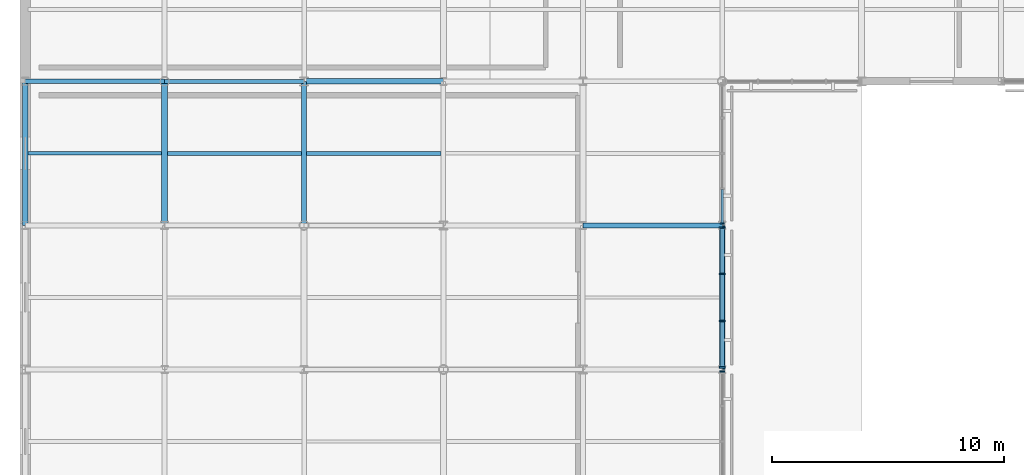
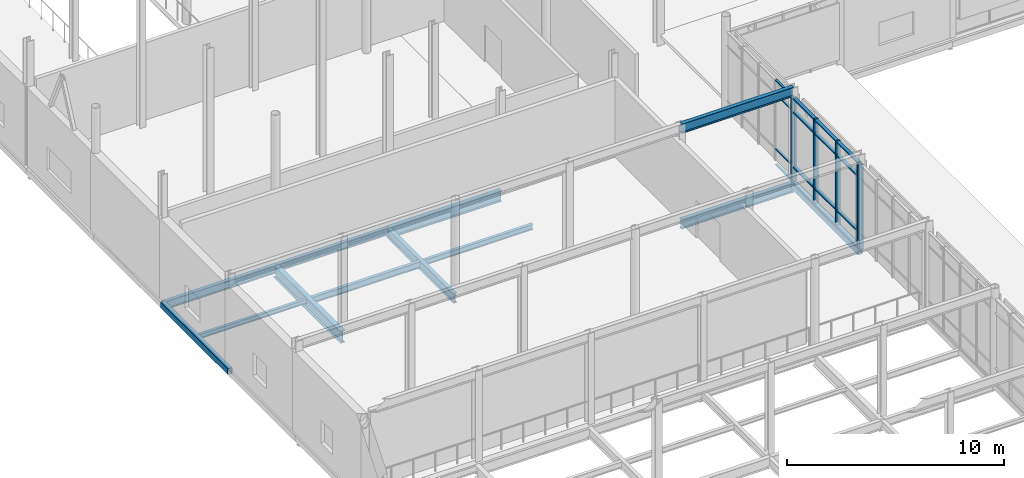
# One storey, part 22 of 105: 22 members, 12 beams, 3 elements without a shape of their own.
"""IFC4 building model written with IfcOpenShell, lengths in metres."""

from ifc_helpers import new_model, si_unit, direction, frame, origin, origin_2d, place, context, subcontext, project, spatial, rectangle, hollow_rectangle, i_section, extrude, material, layer, layer_set, material_profile, profile_set, type_object, element, aggregate, save


model = new_model("IFC4")

# Units and contexts
model_context = context("Model", 3, precision=1e-05, world=origin(), true_north=direction((0.0, 1.0)))
body_context = subcontext(model_context, "Body", "Model", "MODEL_VIEW")
ifc_project = project(units=[si_unit("LENGTHUNIT", "METRE"), si_unit("AREAUNIT", "SQUARE_METRE"), si_unit("VOLUMEUNIT", "CUBIC_METRE"), si_unit("PLANEANGLEUNIT", "RADIAN"), si_unit("MASSUNIT", "GRAM", prefix="KILO")], contexts=[model_context])

# Site, building, storey
site_placement = place(None, origin())
site = spatial("IfcSite", under=ifc_project, at=site_placement, CompositionType="ELEMENT")
building_placement = place(site_placement, origin())
building = spatial("IfcBuilding", under=site, at=building_placement, Name="Mirzam Square Science Centre", CompositionType="ELEMENT")
storey_placement = place(building_placement, frame((0.0, 0.0, 5.39990234375)))
storey = spatial("IfcBuildingStorey", under=building, at=storey_placement, Name="L01", CompositionType="ELEMENT", Elevation=5.39990234375)

# Beams
ifc_material_1 = material(Name="Steel S355", Category="steel")
ifc_material_profile_1 = material_profile(ifc_material_1, i_section(OverallWidth=0.1787109375, OverallDepth=0.409423828125, WebThickness=0.0087890625, FlangeThickness=0.014404296875, FilletRadius=0.01025390625, at=origin_2d()), Name="406x178x67UB")
ifc_profile_set_1 = profile_set([ifc_material_profile_1], Name="Steel S355")
beam_type_1 = type_object("IfcBeamType", Name="BM-UB406", PredefinedType="BEAM", material=ifc_profile_set_1)
beam_1_placement = place(storey_placement, frame((6.0, 37.199951171875, -0.464599609375), z_axis=(1.0, 0.0, 0.0), x_axis=(0.0, 1.0, 0.0)))
element("IfcBeam", 1, at=beam_1_placement, inside=storey, type_object=beam_type_1, Name="L01 girder X2-7", PredefinedType="BEAM", context=body_context, shape_type="SweptSolid", body=[
    extrude(i_section(OverallWidth=0.1787109375, OverallDepth=0.409423828125, WebThickness=0.0087890625, FlangeThickness=0.014404296875, FilletRadius=0.01025390625, at=origin_2d()), origin(), (0.0, 0.0, 1.0), 6.0),
])
ifc_material_profile_2 = material_profile(ifc_material_1, i_section(OverallWidth=0.19140625, OverallDepth=0.4599609375, WebThickness=0.010009765625, FlangeThickness=0.01611328125, FilletRadius=0.01025390625, at=origin_2d()), Name="457x191x82UB")
ifc_profile_set_2 = profile_set([ifc_material_profile_2], Name="Steel S355")
beam_type_2 = type_object("IfcBeamType", Name="BM-UB457", PredefinedType="BEAM", material=ifc_profile_set_2)
beam_2_placement = place(storey_placement, frame((0.0, 37.199951171875, -0.489990234375), z_axis=(1.0, 0.0, 0.0), x_axis=(0.0, 1.0, 0.0)))
element("IfcBeam", 2, at=beam_2_placement, inside=storey, type_object=beam_type_2, Name="L01 girder X1-7", PredefinedType="BEAM", context=body_context, shape_type="SweptSolid", body=[
    extrude(i_section(OverallWidth=0.19140625, OverallDepth=0.4599609375, WebThickness=0.010009765625, FlangeThickness=0.01611328125, FilletRadius=0.01025390625, at=origin_2d()), origin(), (0.0, 0.0, 1.0), 6.0),
])
ifc_material_profile_3 = material_profile(ifc_material_1, i_section(OverallWidth=0.2099609375, OverallDepth=0.53662109375, WebThickness=0.0107421875, FlangeThickness=0.017333984375, FilletRadius=0.0126953125, at=origin_2d()), Name="533x210x101UB")
ifc_profile_set_3 = profile_set([ifc_material_profile_3], Name="Steel S355")
beam_type_3 = type_object("IfcBeamType", Name="BM-UB533", PredefinedType="BEAM", material=ifc_profile_set_3)
beam_3_placement = place(storey_placement, frame((24.0, 31.0, -0.5283203125), z_axis=(1.0, 0.0, 0.0), x_axis=(0.0, 1.0, 0.0)))
element("IfcBeam", 3, at=beam_3_placement, inside=storey, type_object=beam_type_3, Name="L01 girder X5-6", PredefinedType="BEAM", context=body_context, shape_type="SweptSolid", body=[
    extrude(i_section(OverallWidth=0.2099609375, OverallDepth=0.53662109375, WebThickness=0.0107421875, FlangeThickness=0.017333984375, FilletRadius=0.0126953125, at=origin_2d()), origin(), (0.0, 0.0, 1.0), 6.0),
])
beam_4_placement = place(storey_placement, frame((12.0, 31.0, -0.5283203125), z_axis=(0.0, 1.0, 0.0), x_axis=(-1.0, 0.0, 0.0)))
element("IfcBeam", 4, at=beam_4_placement, inside=storey, type_object=beam_type_3, Name="L01 girder Y3-6", PredefinedType="BEAM", context=body_context, shape_type="SweptSolid", body=[
    extrude(i_section(OverallWidth=0.2099609375, OverallDepth=0.53662109375, WebThickness=0.0107421875, FlangeThickness=0.017333984375, FilletRadius=0.0126953125, at=origin_2d()), origin(), (0.0, 0.0, 1.0), 6.199951171875),
])
beam_5_placement = place(storey_placement, frame((24.0, 31.0, 4.86181640625), z_axis=(1.0, 0.0, 0.0), x_axis=(0.0, 1.0, 0.0)))
element("IfcBeam", 5, at=beam_5_placement, inside=storey, type_object=beam_type_3, Name="SW gallery roof girder 5-6", PredefinedType="BEAM", context=body_context, shape_type="SweptSolid", body=[
    extrude(i_section(OverallWidth=0.2099609375, OverallDepth=0.53662109375, WebThickness=0.0107421875, FlangeThickness=0.017333984375, FilletRadius=0.0126953125, at=origin_2d()), origin(), (0.0, 0.0, 1.0), 6.0),
])
ifc_material_profile_4 = material_profile(ifc_material_1, i_section(OverallWidth=0.22900390625, OverallDepth=0.6123046875, WebThickness=0.011962890625, FlangeThickness=0.01953125, FilletRadius=0.0126953125, at=origin_2d()), Name="610x229x125UB")
ifc_profile_set_4 = profile_set([ifc_material_profile_4], Name="Steel S355")
beam_type_4 = type_object("IfcBeamType", Name="BM-UB610", PredefinedType="BEAM", material=ifc_profile_set_4)
beam_6_placement = place(storey_placement, frame((12.0, 37.199951171875, -0.56591796875), z_axis=(1.0, 0.0, 0.0), x_axis=(0.0, 1.0, 0.0)))
element("IfcBeam", 6, at=beam_6_placement, inside=storey, type_object=beam_type_4, Name="L01 girder X3-7", PredefinedType="BEAM", context=body_context, shape_type="SweptSolid", body=[
    extrude(i_section(OverallWidth=0.22900390625, OverallDepth=0.6123046875, WebThickness=0.011962890625, FlangeThickness=0.01953125, FilletRadius=0.0126953125, at=origin_2d()), origin(), (0.0, 0.0, 1.0), 6.0),
])
ifc_material_profile_5 = material_profile(ifc_material_1, i_section(OverallWidth=0.25439453125, OverallDepth=0.6875, WebThickness=0.01318359375, FlangeThickness=0.02099609375, FilletRadius=0.01513671875, at=origin_2d()), Name="686x254x152UB")
ifc_profile_set_5 = profile_set([ifc_material_profile_5], Name="Steel S355")
beam_type_5 = type_object("IfcBeamType", Name="BM-UB686", PredefinedType="BEAM", material=ifc_profile_set_5)
beam_7_placement = place(storey_placement, frame((6.0, 31.0, -0.603759765625), z_axis=(0.0, 1.0, 0.0), x_axis=(-1.0, 0.0, 0.0)))
element("IfcBeam", 7, at=beam_7_placement, inside=storey, type_object=beam_type_5, Name="L01 girder Y2-6", PredefinedType="BEAM", context=body_context, shape_type="SweptSolid", body=[
    extrude(i_section(OverallWidth=0.25439453125, OverallDepth=0.6875, WebThickness=0.01318359375, FlangeThickness=0.02099609375, FilletRadius=0.01513671875, at=origin_2d()), origin(), (0.0, 0.0, 1.0), 6.199951171875),
])

# Curtain wall, member
ifc_material_2 = material(Name="Anodised Aluminium and Low-E Solar Glass", Category="aluminium")
ifc_layer_1 = layer(ifc_material_2, 0.219970703125)
ifc_layer_set_1 = layer_set([ifc_layer_1], Name="CW-OBS-A")
curtain_wall_type_1 = type_object("IfcCurtainWallType", Name="CW-OBS-A", PredefinedType="USERDEFINED", material=ifc_layer_set_1)
curtain_wall_1_placement = place(storey_placement, origin())
curtain_wall_1 = element("IfcCurtainWall", 8, at=curtain_wall_1_placement, inside=storey, type_object=curtain_wall_type_1, Name="L01 unitised curtain wall 45", ObjectType="UNITISED CURTAIN WALL", PredefinedType="USERDEFINED")
ifc_material_3 = material(Name="Anodised Architectural Aluminium 6063-T6", Category="aluminium")
ifc_material_profile_6 = material_profile(ifc_material_3, rectangle(XDim=0.06005859375, YDim=0.159912109375, at=origin_2d()), Name="ALU-MULL-160x60x4")
ifc_profile_set_6 = profile_set([ifc_material_profile_6], Name="Anodised Architectural Aluminium 6063-T6")
member_type_1 = type_object("IfcMemberType", Name="CWM-160", PredefinedType="MULLION", material=ifc_profile_set_6)
member_1_placement = place(storey_placement, frame((30.0, 31.0849609375, -0.25), z_axis=(0.0, 0.0, 1.0), x_axis=(0.0, 1.0, 0.0)))
member_1 = element("IfcMember", 9, at=member_1_placement, type_object=member_type_1, Name="CW-07 mullion 1", PredefinedType="MULLION", context=body_context, shape_type="SweptSolid", body=[
    extrude(rectangle(XDim=0.06005859375, YDim=0.159912109375, at=origin_2d()), origin(), (0.0, 0.0, 1.0), 4.800048828125),
])

ifc_layer_2 = layer(ifc_material_2, 0.199951171875)
ifc_layer_set_2 = layer_set([ifc_layer_2], Name="CW-EAST-A")
curtain_wall_type_2 = type_object("IfcCurtainWallType", Name="CW-EAST-A", PredefinedType="USERDEFINED", material=ifc_layer_set_2)
curtain_wall_2_placement = place(storey_placement, origin())
curtain_wall_2 = element("IfcCurtainWall", 10, at=curtain_wall_2_placement, inside=storey, type_object=curtain_wall_type_2, Name="L01 unitised curtain wall 43", ObjectType="UNITISED CURTAIN WALL", PredefinedType="USERDEFINED")
ifc_material_profile_7 = material_profile(ifc_material_3, rectangle(XDim=0.06494140625, YDim=0.199951171875, at=origin_2d()), Name="ALU-MULL-200x65x5")
ifc_profile_set_7 = profile_set([ifc_material_profile_7], Name="Anodised Architectural Aluminium 6063-T6")
member_type_2 = type_object("IfcMemberType", Name="CWM-200", PredefinedType="MULLION", material=ifc_profile_set_7)
member_2_placement = place(storey_placement, frame((30.0, 24.71240234375, -0.25), z_axis=(0.0, 0.0, 1.0), x_axis=(0.0, 1.0, 0.0)))
member_2 = element("IfcMember", 11, at=member_2_placement, type_object=member_type_2, Name="CW-05 mullion 5", PredefinedType="MULLION", context=body_context, shape_type="SweptSolid", body=[
    extrude(rectangle(XDim=0.06494140625, YDim=0.199951171875, at=origin_2d()), origin(), (0.0, 0.0, 1.0), 4.800048828125),
])
aggregate(curtain_wall_2, [member_2])

# Curtain wall, members
ifc_layer_3 = layer(ifc_material_2, 0.239990234375)
ifc_layer_set_3 = layer_set([ifc_layer_3], Name="CW-EAST-B")
curtain_wall_type_3 = type_object("IfcCurtainWallType", Name="CW-EAST-B", PredefinedType="USERDEFINED", material=ifc_layer_set_3)
curtain_wall_3_placement = place(storey_placement, origin())
curtain_wall_3 = element("IfcCurtainWall", 12, at=curtain_wall_3_placement, inside=storey, type_object=curtain_wall_type_3, Name="L01 unitised curtain wall 44", ObjectType="UNITISED CURTAIN WALL", PredefinedType="USERDEFINED")
ifc_material_profile_8 = material_profile(ifc_material_3, rectangle(XDim=0.074951171875, YDim=0.239990234375, at=origin_2d()), Name="ALU-MULL-240x75x5")
ifc_profile_set_8 = profile_set([ifc_material_profile_8], Name="Anodised Architectural Aluminium 6063-T6")
member_type_3 = type_object("IfcMemberType", Name="CWM-240", PredefinedType="MULLION", material=ifc_profile_set_8)
member_3_placement = place(storey_placement, frame((30.0, 24.892578125, -0.25), z_axis=(0.0, 0.0, 1.0), x_axis=(0.0, 1.0, 0.0)))
member_3 = element("IfcMember", 13, at=member_3_placement, type_object=member_type_3, Name="CW-06 mullion 1", PredefinedType="MULLION", context=body_context, shape_type="SweptSolid", body=[
    extrude(rectangle(XDim=0.074951171875, YDim=0.239990234375, at=origin_2d()), origin(), (0.0, 0.0, 1.0), 4.800048828125),
])
member_4_placement = place(storey_placement, frame((30.0, 26.885009765625, -0.25), z_axis=(0.0, 0.0, 1.0), x_axis=(0.0, 1.0, 0.0)))
member_4 = element("IfcMember", 14, at=member_4_placement, type_object=member_type_3, Name="CW-06 mullion 2", PredefinedType="MULLION", context=body_context, shape_type="SweptSolid", body=[
    extrude(rectangle(XDim=0.074951171875, YDim=0.239990234375, at=origin_2d()), origin(), (0.0, 0.0, 1.0), 4.800048828125),
])
member_5_placement = place(storey_placement, frame((30.0, 28.9150390625, -0.25), z_axis=(0.0, 0.0, 1.0), x_axis=(0.0, 1.0, 0.0)))
member_5 = element("IfcMember", 15, at=member_5_placement, type_object=member_type_3, Name="CW-06 mullion 3", PredefinedType="MULLION", context=body_context, shape_type="SweptSolid", body=[
    extrude(rectangle(XDim=0.074951171875, YDim=0.239990234375, at=origin_2d()), origin(), (0.0, 0.0, 1.0), 4.800048828125),
])
member_6_placement = place(storey_placement, frame((30.0, 30.907470703125, -0.25), z_axis=(0.0, 0.0, 1.0), x_axis=(0.0, 1.0, 0.0)))
member_6 = element("IfcMember", 16, at=member_6_placement, type_object=member_type_3, Name="CW-06 mullion 4", PredefinedType="MULLION", context=body_context, shape_type="SweptSolid", body=[
    extrude(rectangle(XDim=0.074951171875, YDim=0.239990234375, at=origin_2d()), origin(), (0.0, 0.0, 1.0), 4.800048828125),
])

# Member
ifc_material_profile_9 = material_profile(ifc_material_3, rectangle(XDim=0.1201171875, YDim=0.06005859375, at=origin_2d()), Name="ALU-TRAN-120x60x4")
ifc_profile_set_9 = profile_set([ifc_material_profile_9], Name="Anodised Architectural Aluminium 6063-T6")
member_type_4 = type_object("IfcMemberType", Name="CWT-120", PredefinedType="USERDEFINED", material=ifc_profile_set_9)
member_7_placement = place(storey_placement, frame((30.0, 31.114990234375, -0.219970703125), z_axis=(0.0, 1.0, 0.0), x_axis=(-1.0, 0.0, 0.0)))
member_7 = element("IfcMember", 17, at=member_7_placement, type_object=member_type_4, Name="CW-07 transom 1.1", ObjectType="TRANSOM", PredefinedType="USERDEFINED", context=body_context, shape_type="SweptSolid", body=[
    extrude(rectangle(XDim=0.1201171875, YDim=0.06005859375, at=origin_2d()), origin(), (0.0, 0.0, 1.0), 1.4326171875),
])

member_8_placement = place(storey_placement, frame((30.0, 31.114990234375, 0.650146484375), z_axis=(0.0, 1.0, 0.0), x_axis=(-1.0, 0.0, 0.0)))
member_8 = element("IfcMember", 18, at=member_8_placement, type_object=member_type_4, Name="CW-07 transom 1.2", ObjectType="TRANSOM", PredefinedType="USERDEFINED", context=body_context, shape_type="SweptSolid", body=[
    extrude(rectangle(XDim=0.1201171875, YDim=0.06005859375, at=origin_2d()), origin(), (0.0, 0.0, 1.0), 1.4326171875),
])

member_9_placement = place(storey_placement, frame((30.0, 31.114990234375, 3.75), z_axis=(0.0, 1.0, 0.0), x_axis=(-1.0, 0.0, 0.0)))
member_9 = element("IfcMember", 19, at=member_9_placement, type_object=member_type_4, Name="CW-07 transom 1.3", ObjectType="TRANSOM", PredefinedType="USERDEFINED", context=body_context, shape_type="SweptSolid", body=[
    extrude(rectangle(XDim=0.1201171875, YDim=0.06005859375, at=origin_2d()), origin(), (0.0, 0.0, 1.0), 1.4326171875),
])

member_10_placement = place(storey_placement, frame((30.0, 31.114990234375, 4.52001953125), z_axis=(0.0, 1.0, 0.0), x_axis=(-1.0, 0.0, 0.0)))
member_10 = element("IfcMember", 20, at=member_10_placement, type_object=member_type_4, Name="CW-07 transom 1.4", ObjectType="TRANSOM", PredefinedType="USERDEFINED", context=body_context, shape_type="SweptSolid", body=[
    extrude(rectangle(XDim=0.1201171875, YDim=0.06005859375, at=origin_2d()), origin(), (0.0, 0.0, 1.0), 1.4326171875),
])

aggregate(curtain_wall_1, [member_1, member_7, member_8, member_9, member_10])

ifc_material_profile_10 = material_profile(ifc_material_3, rectangle(XDim=0.179931640625, YDim=0.074951171875, at=origin_2d()), Name="ALU-TRAN-180x75x5")
ifc_profile_set_10 = profile_set([ifc_material_profile_10], Name="Anodised Architectural Aluminium 6063-T6")
member_type_5 = type_object("IfcMemberType", Name="CWT-180", PredefinedType="USERDEFINED", material=ifc_profile_set_10)
member_11_placement = place(storey_placement, frame((30.0, 24.929931640625, -0.21240234375), z_axis=(0.0, 1.0, 0.0), x_axis=(-1.0, 0.0, 0.0)))
member_11 = element("IfcMember", 21, at=member_11_placement, type_object=member_type_5, Name="CW-06 transom 1.1", ObjectType="TRANSOM", PredefinedType="USERDEFINED", context=body_context, shape_type="SweptSolid", body=[
    extrude(rectangle(XDim=0.179931640625, YDim=0.074951171875, at=origin_2d()), origin(), (0.0, 0.0, 1.0), 1.91748046875),
])

member_12_placement = place(storey_placement, frame((30.0, 24.929931640625, 0.650146484375), z_axis=(0.0, 1.0, 0.0), x_axis=(-1.0, 0.0, 0.0)))
member_12 = element("IfcMember", 22, at=member_12_placement, type_object=member_type_5, Name="CW-06 transom 1.2", ObjectType="TRANSOM", PredefinedType="USERDEFINED", context=body_context, shape_type="SweptSolid", body=[
    extrude(rectangle(XDim=0.179931640625, YDim=0.074951171875, at=origin_2d()), origin(), (0.0, 0.0, 1.0), 1.91748046875),
])

member_13_placement = place(storey_placement, frame((30.0, 24.929931640625, 3.75), z_axis=(0.0, 1.0, 0.0), x_axis=(-1.0, 0.0, 0.0)))
member_13 = element("IfcMember", 23, at=member_13_placement, type_object=member_type_5, Name="CW-06 transom 1.3", ObjectType="TRANSOM", PredefinedType="USERDEFINED", context=body_context, shape_type="SweptSolid", body=[
    extrude(rectangle(XDim=0.179931640625, YDim=0.074951171875, at=origin_2d()), origin(), (0.0, 0.0, 1.0), 1.91748046875),
])

member_14_placement = place(storey_placement, frame((30.0, 24.929931640625, 4.5126953125), z_axis=(0.0, 1.0, 0.0), x_axis=(-1.0, 0.0, 0.0)))
member_14 = element("IfcMember", 24, at=member_14_placement, type_object=member_type_5, Name="CW-06 transom 1.4", ObjectType="TRANSOM", PredefinedType="USERDEFINED", context=body_context, shape_type="SweptSolid", body=[
    extrude(rectangle(XDim=0.179931640625, YDim=0.074951171875, at=origin_2d()), origin(), (0.0, 0.0, 1.0), 1.91748046875),
])

member_15_placement = place(storey_placement, frame((30.0, 26.922607421875, -0.21240234375), z_axis=(0.0, 1.0, 0.0), x_axis=(-1.0, 0.0, 0.0)))
member_15 = element("IfcMember", 25, at=member_15_placement, type_object=member_type_5, Name="CW-06 transom 2.1", ObjectType="TRANSOM", PredefinedType="USERDEFINED", context=body_context, shape_type="SweptSolid", body=[
    extrude(rectangle(XDim=0.179931640625, YDim=0.074951171875, at=origin_2d()), origin(), (0.0, 0.0, 1.0), 1.954833984375),
])

member_16_placement = place(storey_placement, frame((30.0, 26.922607421875, 0.650146484375), z_axis=(0.0, 1.0, 0.0), x_axis=(-1.0, 0.0, 0.0)))
member_16 = element("IfcMember", 26, at=member_16_placement, type_object=member_type_5, Name="CW-06 transom 2.2", ObjectType="TRANSOM", PredefinedType="USERDEFINED", context=body_context, shape_type="SweptSolid", body=[
    extrude(rectangle(XDim=0.179931640625, YDim=0.074951171875, at=origin_2d()), origin(), (0.0, 0.0, 1.0), 1.954833984375),
])

member_17_placement = place(storey_placement, frame((30.0, 26.922607421875, 3.75), z_axis=(0.0, 1.0, 0.0), x_axis=(-1.0, 0.0, 0.0)))
member_17 = element("IfcMember", 27, at=member_17_placement, type_object=member_type_5, Name="CW-06 transom 2.3", ObjectType="TRANSOM", PredefinedType="USERDEFINED", context=body_context, shape_type="SweptSolid", body=[
    extrude(rectangle(XDim=0.179931640625, YDim=0.074951171875, at=origin_2d()), origin(), (0.0, 0.0, 1.0), 1.954833984375),
])

member_18_placement = place(storey_placement, frame((30.0, 26.922607421875, 4.5126953125), z_axis=(0.0, 1.0, 0.0), x_axis=(-1.0, 0.0, 0.0)))
member_18 = element("IfcMember", 28, at=member_18_placement, type_object=member_type_5, Name="CW-06 transom 2.4", ObjectType="TRANSOM", PredefinedType="USERDEFINED", context=body_context, shape_type="SweptSolid", body=[
    extrude(rectangle(XDim=0.179931640625, YDim=0.074951171875, at=origin_2d()), origin(), (0.0, 0.0, 1.0), 1.954833984375),
])

member_19_placement = place(storey_placement, frame((30.0, 28.952392578125, -0.21240234375), z_axis=(0.0, 1.0, 0.0), x_axis=(-1.0, 0.0, 0.0)))
member_19 = element("IfcMember", 29, at=member_19_placement, type_object=member_type_5, Name="CW-06 transom 3.1", ObjectType="TRANSOM", PredefinedType="USERDEFINED", context=body_context, shape_type="SweptSolid", body=[
    extrude(rectangle(XDim=0.179931640625, YDim=0.074951171875, at=origin_2d()), origin(), (0.0, 0.0, 1.0), 1.917724609375),
])

member_20_placement = place(storey_placement, frame((30.0, 28.952392578125, 0.650146484375), z_axis=(0.0, 1.0, 0.0), x_axis=(-1.0, 0.0, 0.0)))
member_20 = element("IfcMember", 30, at=member_20_placement, type_object=member_type_5, Name="CW-06 transom 3.2", ObjectType="TRANSOM", PredefinedType="USERDEFINED", context=body_context, shape_type="SweptSolid", body=[
    extrude(rectangle(XDim=0.179931640625, YDim=0.074951171875, at=origin_2d()), origin(), (0.0, 0.0, 1.0), 1.917724609375),
])

member_21_placement = place(storey_placement, frame((30.0, 28.952392578125, 3.75), z_axis=(0.0, 1.0, 0.0), x_axis=(-1.0, 0.0, 0.0)))
member_21 = element("IfcMember", 31, at=member_21_placement, type_object=member_type_5, Name="CW-06 transom 3.3", ObjectType="TRANSOM", PredefinedType="USERDEFINED", context=body_context, shape_type="SweptSolid", body=[
    extrude(rectangle(XDim=0.179931640625, YDim=0.074951171875, at=origin_2d()), origin(), (0.0, 0.0, 1.0), 1.917724609375),
])

member_22_placement = place(storey_placement, frame((30.0, 28.952392578125, 4.5126953125), z_axis=(0.0, 1.0, 0.0), x_axis=(-1.0, 0.0, 0.0)))
member_22 = element("IfcMember", 32, at=member_22_placement, type_object=member_type_5, Name="CW-06 transom 3.4", ObjectType="TRANSOM", PredefinedType="USERDEFINED", context=body_context, shape_type="SweptSolid", body=[
    extrude(rectangle(XDim=0.179931640625, YDim=0.074951171875, at=origin_2d()), origin(), (0.0, 0.0, 1.0), 1.917724609375),
])

aggregate(curtain_wall_3, [member_3, member_4, member_5, member_6, member_11, member_12, member_13, member_14, member_15, member_16, member_17, member_18, member_19, member_20, member_21, member_22])

# Beams
ifc_material_profile_11 = material_profile(ifc_material_1, i_section(OverallWidth=0.146484375, OverallDepth=0.256103515625, WebThickness=0.00634765625, FlangeThickness=0.010986328125, FilletRadius=0.007568359375, at=origin_2d()), Name="254x146x37UB")
ifc_profile_set_11 = profile_set([ifc_material_profile_11], Name="Steel S355")
beam_type_6 = type_object("IfcBeamType", Name="JS-UB254", PredefinedType="JOIST", material=ifc_profile_set_11)
beam_8_placement = place(storey_placement, frame((0.125, 34.10009765625, -0.387939453125), z_axis=(1.0, 0.0, 0.0), x_axis=(0.0, 1.0, 0.0)))
element("IfcBeam", 33, at=beam_8_placement, inside=storey, type_object=beam_type_6, Name="L01 composite joist 1-6", PredefinedType="JOIST", context=body_context, shape_type="SweptSolid", body=[
    extrude(i_section(OverallWidth=0.146484375, OverallDepth=0.256103515625, WebThickness=0.00634765625, FlangeThickness=0.010986328125, FilletRadius=0.007568359375, at=origin_2d()), origin(), (0.0, 0.0, 1.0), 5.747802734375),
])
ifc_material_profile_12 = material_profile(ifc_material_1, i_section(OverallWidth=0.165771484375, OverallDepth=0.306640625, WebThickness=0.006591796875, FlangeThickness=0.01171875, FilletRadius=0.0087890625, at=origin_2d()), Name="305x165x46UB")
ifc_profile_set_12 = profile_set([ifc_material_profile_12], Name="Steel S355")
beam_type_7 = type_object("IfcBeamType", Name="JS-UB305", PredefinedType="JOIST", material=ifc_profile_set_12)
beam_9_placement = place(storey_placement, frame((12.10498046875, 34.10009765625, -0.4130859375), z_axis=(1.0, 0.0, 0.0), x_axis=(0.0, 1.0, 0.0)))
element("IfcBeam", 34, at=beam_9_placement, inside=storey, type_object=beam_type_7, Name="L01 composite joist 3-6", PredefinedType="JOIST", context=body_context, shape_type="SweptSolid", body=[
    extrude(i_section(OverallWidth=0.165771484375, OverallDepth=0.306640625, WebThickness=0.006591796875, FlangeThickness=0.01171875, FilletRadius=0.0087890625, at=origin_2d()), origin(), (0.0, 0.0, 1.0), 5.79931640625),
])
ifc_material_profile_13 = material_profile(ifc_material_1, i_section(OverallWidth=0.172119140625, OverallDepth=0.35791015625, WebThickness=0.008056640625, FlangeThickness=0.012939453125, FilletRadius=0.01025390625, at=origin_2d()), Name="356x171x57UB")
ifc_profile_set_13 = profile_set([ifc_material_profile_13], Name="Steel S355")
beam_type_8 = type_object("IfcBeamType", Name="JS-UB356", PredefinedType="JOIST", material=ifc_profile_set_13)
beam_10_placement = place(storey_placement, frame((6.127197265625, 34.10009765625, -0.43896484375), z_axis=(1.0, 0.0, 0.0), x_axis=(0.0, 1.0, 0.0)))
element("IfcBeam", 35, at=beam_10_placement, inside=storey, type_object=beam_type_8, Name="L01 composite joist 2-6", PredefinedType="JOIST", context=body_context, shape_type="SweptSolid", body=[
    extrude(i_section(OverallWidth=0.172119140625, OverallDepth=0.35791015625, WebThickness=0.008056640625, FlangeThickness=0.012939453125, FilletRadius=0.01025390625, at=origin_2d()), origin(), (0.0, 0.0, 1.0), 5.767822265625),
])
ifc_material_profile_14 = material_profile(ifc_material_1, hollow_rectangle(XDim=0.25, YDim=0.35009765625, WallThickness=0.012451171875, InnerFilletRadius=0.012451171875, OuterFilletRadius=0.02490234375, at=origin_2d()), Name="350x250x12.5RHS")
ifc_profile_set_14 = profile_set([ifc_material_profile_14], Name="Steel S355")
beam_type_9 = type_object("IfcBeamType", Name="SP-RHS350", PredefinedType="SPANDREL", material=ifc_profile_set_14)
for number, where, z_axis, x_axis, name in (
    (36, (0.0, 31.0, -0.434814453125), (0.0, 1.0, 0.0), (-1.0, 0.0, 0.0), "L01 girder Y1-6"),
    (37, (30.0, 24.800048828125, -0.434814453125), (0.0, 1.0, 0.0), (-1.0, 0.0, 0.0), "L01 girder Y6-5"),
):
    element("IfcBeam", number, at=place(storey_placement, frame(where, z_axis=z_axis, x_axis=x_axis)), inside=storey, type_object=beam_type_9, Name=name, PredefinedType="SPANDREL", context=body_context, shape_type="SweptSolid", body=[
        extrude(hollow_rectangle(XDim=0.25, YDim=0.35009765625, WallThickness=0.012451171875, InnerFilletRadius=0.012451171875, OuterFilletRadius=0.02490234375, at=origin_2d()), origin(), (0.0, 0.0, 1.0), 6.199951171875),
    ])

save(model, "model.ifc")
